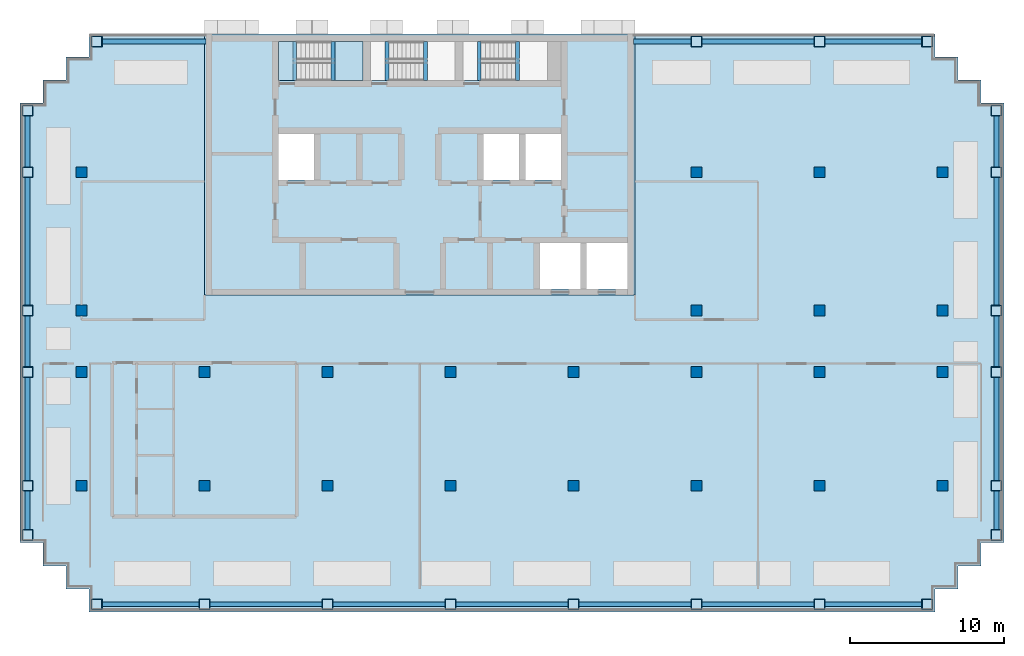
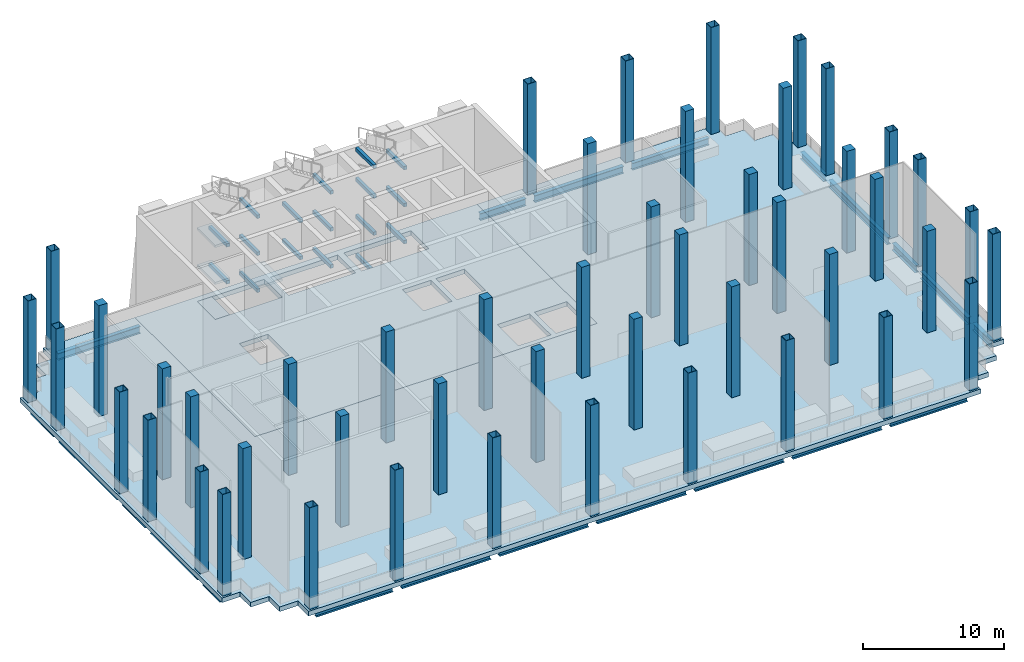
# One storey, part 1 of 9: 48 columns, 38 beams, 6 slabs, 1 element without a shape of its own.
"""IFC4 building model written with IfcOpenShell, lengths in metres."""

from ifc_helpers import new_model, si_unit, direction, frame, origin, origin_2d, place, context, subcontext, project, spatial, polyline, rectangle, hollow_rectangle, i_section, outline, extrude, material, layer, layer_set, material_profile, profile_set, type_object, element, aggregate, save


model = new_model("IFC4")

# Units and contexts
model_context = context("Model", 3, precision=1e-05, world=origin(), true_north=direction((0.0, 1.0)))
body_context = subcontext(model_context, "Body", "Model", "MODEL_VIEW")
ifc_project = project(units=[si_unit("LENGTHUNIT", "METRE"), si_unit("AREAUNIT", "SQUARE_METRE"), si_unit("VOLUMEUNIT", "CUBIC_METRE"), si_unit("PLANEANGLEUNIT", "RADIAN"), si_unit("MASSUNIT", "GRAM", prefix="KILO")], contexts=[model_context])

# Site, building, storey
site_placement = place(None, origin())
site = spatial("IfcSite", under=ifc_project, at=site_placement, CompositionType="ELEMENT")
building_placement = place(site_placement, origin())
building = spatial("IfcBuilding", under=site, at=building_placement, Name="Vidyagriha Tower", CompositionType="ELEMENT")
storey_placement = place(building_placement, frame((0.0, 0.0, 194.10009765625)))
storey = spatial("IfcBuildingStorey", under=building, at=storey_placement, Name="L51", CompositionType="ELEMENT", Elevation=194.10009765625)

# Columns
ifc_material_1 = material(Name="Steel ASTM A572 Grade 50", Category="steel")
ifc_material_profile_1 = material_profile(ifc_material_1, hollow_rectangle(XDim=0.699951171875, YDim=0.699951171875, WallThickness=0.035888671875, at=origin_2d()), Name="BOX 700x700x36")
ifc_profile_set_1 = profile_set([ifc_material_profile_1], Name="Steel ASTM A572 Grade 50")
column_type_1 = type_object("IfcColumnType", Name="Exoskeleton column BOX 700x700x36", PredefinedType="COLUMN", material=ifc_profile_set_1)
column_1_placement = place(storey_placement, frame((-21.0, -17.10009765625, 0.0)))
element("IfcColumn", 1, at=column_1_placement, inside=storey, type_object=column_type_1, Name="st-col-L51-B4-001", PredefinedType="COLUMN", context=body_context, shape_type="SweptSolid", body=[
    extrude(hollow_rectangle(XDim=0.699951171875, YDim=0.699951171875, WallThickness=0.035888671875, at=origin_2d()), origin(), (0.0, 0.0, 1.0), 8.7998046875),
])
for number, where, name in (
    (2, (-14.0, -17.10009765625, 0.0), "st-col-L51-B4-002"),
    (3, (-6.0, -17.10009765625, 0.0), "st-col-L51-B4-003"),
    (4, (2.0, -17.10009765625, 0.0), "st-col-L51-B4-004"),
    (5, (10.0, -17.10009765625, 0.0), "st-col-L51-B4-005"),
    (6, (18.0, -17.10009765625, 0.0), "st-col-L51-B4-006"),
):
    element("IfcColumn", number, at=place(storey_placement, frame(where)), inside=storey, type_object=column_type_1, Name=name, PredefinedType="COLUMN", context=body_context, shape_type="SweptSolid", body=[
        extrude(hollow_rectangle(XDim=0.699951171875, YDim=0.699951171875, WallThickness=0.035888671875, at=origin_2d()), origin(), (0.0, 0.0, 1.0), 9.599853515625),
    ])
column_2_placement = place(storey_placement, frame((26.0, -17.10009765625, 0.0)))
element("IfcColumn", 7, at=column_2_placement, inside=storey, type_object=column_type_1, Name="st-col-L51-B4-007", PredefinedType="COLUMN", context=body_context, shape_type="SweptSolid", body=[
    extrude(hollow_rectangle(XDim=0.699951171875, YDim=0.699951171875, WallThickness=0.035888671875, at=origin_2d()), origin(), (0.0, 0.0, 1.0), 8.7998046875),
])
column_3_placement = place(storey_placement, frame((33.0, -17.10009765625, 0.0)))
element("IfcColumn", 8, at=column_3_placement, inside=storey, type_object=column_type_1, Name="st-col-L51-B4-008", PredefinedType="COLUMN", context=body_context, shape_type="SweptSolid", body=[
    extrude(hollow_rectangle(XDim=0.699951171875, YDim=0.699951171875, WallThickness=0.035888671875, at=origin_2d()), origin(), (0.0, 0.0, 1.0), 9.25),
])
column_4_placement = place(storey_placement, frame((-25.5, -12.60009765625, 0.0)))
element("IfcColumn", 9, at=column_4_placement, inside=storey, type_object=column_type_1, Name="st-col-L51-B4-009", PredefinedType="COLUMN", context=body_context, shape_type="SweptSolid", body=[
    extrude(hollow_rectangle(XDim=0.699951171875, YDim=0.699951171875, WallThickness=0.035888671875, at=origin_2d()), origin(), (0.0, 0.0, 1.0), 8.7998046875),
])
column_5_placement = place(storey_placement, frame((37.5, -12.60009765625, 0.0)))
element("IfcColumn", 10, at=column_5_placement, inside=storey, type_object=column_type_1, Name="st-col-L51-B4-010", PredefinedType="COLUMN", context=body_context, shape_type="SweptSolid", body=[
    extrude(hollow_rectangle(XDim=0.699951171875, YDim=0.699951171875, WallThickness=0.035888671875, at=origin_2d()), origin(), (0.0, 0.0, 1.0), 9.25),
])
column_6_placement = place(storey_placement, frame((-25.5, -9.39990234375, 0.0)))
element("IfcColumn", 11, at=column_6_placement, inside=storey, type_object=column_type_1, Name="st-col-L51-B4-011", PredefinedType="COLUMN", context=body_context, shape_type="SweptSolid", body=[
    extrude(hollow_rectangle(XDim=0.699951171875, YDim=0.699951171875, WallThickness=0.035888671875, at=origin_2d()), origin(), (0.0, 0.0, 1.0), 8.7998046875),
])
column_7_placement = place(storey_placement, frame((37.5, -9.39990234375, 0.0)))
element("IfcColumn", 12, at=column_7_placement, inside=storey, type_object=column_type_1, Name="st-col-L51-B4-020", PredefinedType="COLUMN", context=body_context, shape_type="SweptSolid", body=[
    extrude(hollow_rectangle(XDim=0.699951171875, YDim=0.699951171875, WallThickness=0.035888671875, at=origin_2d()), origin(), (0.0, 0.0, 1.0), 9.25),
])
column_8_placement = place(storey_placement, frame((-25.5, -2.0, 0.0)))
element("IfcColumn", 13, at=column_8_placement, inside=storey, type_object=column_type_1, Name="st-col-L51-B4-021", PredefinedType="COLUMN", context=body_context, shape_type="SweptSolid", body=[
    extrude(hollow_rectangle(XDim=0.699951171875, YDim=0.699951171875, WallThickness=0.035888671875, at=origin_2d()), origin(), (0.0, 0.0, 1.0), 8.7998046875),
])
column_9_placement = place(storey_placement, frame((37.5, -2.0, 0.0)))
element("IfcColumn", 14, at=column_9_placement, inside=storey, type_object=column_type_1, Name="st-col-L51-B4-030", PredefinedType="COLUMN", context=body_context, shape_type="SweptSolid", body=[
    extrude(hollow_rectangle(XDim=0.699951171875, YDim=0.699951171875, WallThickness=0.035888671875, at=origin_2d()), origin(), (0.0, 0.0, 1.0), 9.25),
])
column_10_placement = place(storey_placement, frame((-25.5, 2.0, 0.0)))
element("IfcColumn", 15, at=column_10_placement, inside=storey, type_object=column_type_1, Name="st-col-L51-B4-031", PredefinedType="COLUMN", context=body_context, shape_type="SweptSolid", body=[
    extrude(hollow_rectangle(XDim=0.699951171875, YDim=0.699951171875, WallThickness=0.035888671875, at=origin_2d()), origin(), (0.0, 0.0, 1.0), 8.7998046875),
])
column_11_placement = place(storey_placement, frame((37.5, 2.0, 0.0)))
element("IfcColumn", 16, at=column_11_placement, inside=storey, type_object=column_type_1, Name="st-col-L51-B4-036", PredefinedType="COLUMN", context=body_context, shape_type="SweptSolid", body=[
    extrude(hollow_rectangle(XDim=0.699951171875, YDim=0.699951171875, WallThickness=0.035888671875, at=origin_2d()), origin(), (0.0, 0.0, 1.0), 9.25),
])
column_12_placement = place(storey_placement, frame((-25.5, 11.0, 0.0)))
element("IfcColumn", 17, at=column_12_placement, inside=storey, type_object=column_type_1, Name="st-col-L51-B4-037", PredefinedType="COLUMN", context=body_context, shape_type="SweptSolid", body=[
    extrude(hollow_rectangle(XDim=0.699951171875, YDim=0.699951171875, WallThickness=0.035888671875, at=origin_2d()), origin(), (0.0, 0.0, 1.0), 8.7998046875),
])
column_13_placement = place(storey_placement, frame((37.5, 11.0, 0.0)))
element("IfcColumn", 18, at=column_13_placement, inside=storey, type_object=column_type_1, Name="st-col-L51-B4-042", PredefinedType="COLUMN", context=body_context, shape_type="SweptSolid", body=[
    extrude(hollow_rectangle(XDim=0.699951171875, YDim=0.699951171875, WallThickness=0.035888671875, at=origin_2d()), origin(), (0.0, 0.0, 1.0), 9.25),
])
column_14_placement = place(storey_placement, frame((-25.5, 15.0, 0.0)))
element("IfcColumn", 19, at=column_14_placement, inside=storey, type_object=column_type_1, Name="st-col-L51-B4-043", PredefinedType="COLUMN", context=body_context, shape_type="SweptSolid", body=[
    extrude(hollow_rectangle(XDim=0.699951171875, YDim=0.699951171875, WallThickness=0.035888671875, at=origin_2d()), origin(), (0.0, 0.0, 1.0), 8.7998046875),
])
column_15_placement = place(storey_placement, frame((37.5, 15.0, 0.0)))
element("IfcColumn", 20, at=column_15_placement, inside=storey, type_object=column_type_1, Name="st-col-L51-B4-044", PredefinedType="COLUMN", context=body_context, shape_type="SweptSolid", body=[
    extrude(hollow_rectangle(XDim=0.699951171875, YDim=0.699951171875, WallThickness=0.035888671875, at=origin_2d()), origin(), (0.0, 0.0, 1.0), 9.25),
])
column_16_placement = place(storey_placement, frame((-21.0, 19.5, 0.0)))
element("IfcColumn", 21, at=column_16_placement, inside=storey, type_object=column_type_1, Name="st-col-L51-B4-045", PredefinedType="COLUMN", context=body_context, shape_type="SweptSolid", body=[
    extrude(hollow_rectangle(XDim=0.699951171875, YDim=0.699951171875, WallThickness=0.035888671875, at=origin_2d()), origin(), (0.0, 0.0, 1.0), 8.7998046875),
])
column_17_placement = place(storey_placement, frame((18.0, 19.5, 0.0)))
element("IfcColumn", 22, at=column_17_placement, inside=storey, type_object=column_type_1, Name="st-col-L51-B4-046", PredefinedType="COLUMN", context=body_context, shape_type="SweptSolid", body=[
    extrude(hollow_rectangle(XDim=0.699951171875, YDim=0.699951171875, WallThickness=0.035888671875, at=origin_2d()), origin(), (0.0, 0.0, 1.0), 9.599853515625),
])
column_18_placement = place(storey_placement, frame((26.0, 19.5, 0.0)))
element("IfcColumn", 23, at=column_18_placement, inside=storey, type_object=column_type_1, Name="st-col-L51-B4-047", PredefinedType="COLUMN", context=body_context, shape_type="SweptSolid", body=[
    extrude(hollow_rectangle(XDim=0.699951171875, YDim=0.699951171875, WallThickness=0.035888671875, at=origin_2d()), origin(), (0.0, 0.0, 1.0), 8.7998046875),
])
column_19_placement = place(storey_placement, frame((33.0, 19.5, 0.0)))
element("IfcColumn", 24, at=column_19_placement, inside=storey, type_object=column_type_1, Name="st-col-L51-B4-048", PredefinedType="COLUMN", context=body_context, shape_type="SweptSolid", body=[
    extrude(hollow_rectangle(XDim=0.699951171875, YDim=0.699951171875, WallThickness=0.035888671875, at=origin_2d()), origin(), (0.0, 0.0, 1.0), 9.25),
])
ifc_material_2 = material(Name="Concrete C60/75", Category="concrete")
ifc_material_profile_2 = material_profile(ifc_material_2, rectangle(XDim=0.699951171875, YDim=0.699951171875, at=origin_2d()), Name="RC 700x700")
ifc_profile_set_2 = profile_set([ifc_material_profile_2], Name="Concrete C60/75")
column_type_2 = type_object("IfcColumnType", Name="Frame column RC 700x700", PredefinedType="COLUMN", material=ifc_profile_set_2)
for number, where, name in (
    (25, (-22.0, -9.39990234375, 0.0), "st-col-L51-B4-012"),
    (26, (-14.0, -9.39990234375, 0.0), "st-col-L51-B4-013"),
    (27, (-6.0, -9.39990234375, 0.0), "st-col-L51-B4-014"),
    (28, (2.0, -9.39990234375, 0.0), "st-col-L51-B4-015"),
    (29, (10.0, -9.39990234375, 0.0), "st-col-L51-B4-016"),
    (30, (18.0, -9.39990234375, 0.0), "st-col-L51-B4-017"),
    (31, (26.0, -9.39990234375, 0.0), "st-col-L51-B4-018"),
):
    element("IfcColumn", number, at=place(storey_placement, frame(where)), inside=storey, type_object=column_type_2, Name=name, PredefinedType="COLUMN", context=body_context, shape_type="SweptSolid", body=[
        extrude(rectangle(XDim=0.699951171875, YDim=0.699951171875, at=origin_2d()), origin(), (0.0, 0.0, 1.0), 9.599853515625),
    ])
column_20_placement = place(storey_placement, frame((34.0, -9.39990234375, 0.0)))
element("IfcColumn", 32, at=column_20_placement, inside=storey, type_object=column_type_2, Name="st-col-L51-B4-019", PredefinedType="COLUMN", context=body_context, shape_type="SweptSolid", body=[
    extrude(rectangle(XDim=0.699951171875, YDim=0.699951171875, at=origin_2d()), origin(), (0.0, 0.0, 1.0), 8.7998046875),
])
for number, where, name in (
    (33, (-22.0, -2.0, 0.0), "st-col-L51-B4-022"),
    (34, (-14.0, -2.0, 0.0), "st-col-L51-B4-023"),
    (35, (-6.0, -2.0, 0.0), "st-col-L51-B4-024"),
    (36, (2.0, -2.0, 0.0), "st-col-L51-B4-025"),
    (37, (10.0, -2.0, 0.0), "st-col-L51-B4-026"),
    (38, (18.0, -2.0, 0.0), "st-col-L51-B4-027"),
    (39, (26.0, -2.0, 0.0), "st-col-L51-B4-028"),
):
    element("IfcColumn", number, at=place(storey_placement, frame(where)), inside=storey, type_object=column_type_2, Name=name, PredefinedType="COLUMN", context=body_context, shape_type="SweptSolid", body=[
        extrude(rectangle(XDim=0.699951171875, YDim=0.699951171875, at=origin_2d()), origin(), (0.0, 0.0, 1.0), 9.599853515625),
    ])
column_21_placement = place(storey_placement, frame((34.0, -2.0, 0.0)))
element("IfcColumn", 40, at=column_21_placement, inside=storey, type_object=column_type_2, Name="st-col-L51-B4-029", PredefinedType="COLUMN", context=body_context, shape_type="SweptSolid", body=[
    extrude(rectangle(XDim=0.699951171875, YDim=0.699951171875, at=origin_2d()), origin(), (0.0, 0.0, 1.0), 8.7998046875),
])
for number, where, name in (
    (41, (-22.0, 2.0, 0.0), "st-col-L51-B4-032"),
    (42, (18.0, 2.0, 0.0), "st-col-L51-B4-033"),
    (43, (26.0, 2.0, 0.0), "st-col-L51-B4-034"),
):
    element("IfcColumn", number, at=place(storey_placement, frame(where)), inside=storey, type_object=column_type_2, Name=name, PredefinedType="COLUMN", context=body_context, shape_type="SweptSolid", body=[
        extrude(rectangle(XDim=0.699951171875, YDim=0.699951171875, at=origin_2d()), origin(), (0.0, 0.0, 1.0), 9.599853515625),
    ])
column_22_placement = place(storey_placement, frame((34.0, 2.0, 0.0)))
element("IfcColumn", 44, at=column_22_placement, inside=storey, type_object=column_type_2, Name="st-col-L51-B4-035", PredefinedType="COLUMN", context=body_context, shape_type="SweptSolid", body=[
    extrude(rectangle(XDim=0.699951171875, YDim=0.699951171875, at=origin_2d()), origin(), (0.0, 0.0, 1.0), 8.7998046875),
])
for number, where, name in (
    (45, (-22.0, 11.0, 0.0), "st-col-L51-B4-038"),
    (46, (18.0, 11.0, 0.0), "st-col-L51-B4-039"),
    (47, (26.0, 11.0, 0.0), "st-col-L51-B4-040"),
):
    element("IfcColumn", number, at=place(storey_placement, frame(where)), inside=storey, type_object=column_type_2, Name=name, PredefinedType="COLUMN", context=body_context, shape_type="SweptSolid", body=[
        extrude(rectangle(XDim=0.699951171875, YDim=0.699951171875, at=origin_2d()), origin(), (0.0, 0.0, 1.0), 9.599853515625),
    ])
column_23_placement = place(storey_placement, frame((34.0, 11.0, 0.0)))
element("IfcColumn", 48, at=column_23_placement, inside=storey, type_object=column_type_2, Name="st-col-L51-B4-041", PredefinedType="COLUMN", context=body_context, shape_type="SweptSolid", body=[
    extrude(rectangle(XDim=0.699951171875, YDim=0.699951171875, at=origin_2d()), origin(), (0.0, 0.0, 1.0), 8.7998046875),
])

# Beams
ifc_material_3 = material(Name="Steel ASTM A992 Grade 50", Category="steel")
ifc_material_profile_3 = material_profile(ifc_material_3, i_section(OverallWidth=0.32373046875, OverallDepth=0.612060546875, WebThickness=0.0126953125, FlangeThickness=0.01904296875, at=origin_2d()), Name="W24X104")
ifc_profile_set_3 = profile_set([ifc_material_profile_3], Name="Steel ASTM A992 Grade 50")
beam_type_1 = type_object("IfcBeamType", Name="Edge beam W24X104", PredefinedType="SPANDREL", material=ifc_profile_set_3)
beam_1_placement = place(storey_placement, frame((-20.64990234375, -17.10009765625, -0.7060546875), z_axis=(1.0, 0.0, 0.0), x_axis=(0.0, 1.0, 0.0)))
element("IfcBeam", 49, at=beam_1_placement, inside=storey, type_object=beam_type_1, Name="st-beam-L51-S01", PredefinedType="SPANDREL", context=body_context, shape_type="SweptSolid", body=[
    extrude(i_section(OverallWidth=0.32373046875, OverallDepth=0.612060546875, WebThickness=0.0126953125, FlangeThickness=0.01904296875, at=origin_2d()), origin(), (0.0, 0.0, 1.0), 6.2998046875),
])
for number, where, z_axis, x_axis, name in (
    (50, (-13.64990234375, -17.10009765625, -0.7060546875), (1.0, 0.0, 0.0), (0.0, 1.0, 0.0), "st-beam-L51-S02"),
    (51, (-5.64990234375, -17.10009765625, -0.7060546875), (1.0, 0.0, 0.0), (0.0, 1.0, 0.0), "st-beam-L51-S03"),
    (52, (2.35009765625, -17.10009765625, -0.7060546875), (1.0, 0.0, 0.0), (0.0, 1.0, 0.0), "st-beam-L51-S04"),
    (53, (10.35009765625, -17.10009765625, -0.7060546875), (1.0, 0.0, 0.0), (0.0, 1.0, 0.0), "st-beam-L51-S05"),
    (54, (18.35009765625, -17.10009765625, -0.7060546875), (1.0, 0.0, 0.0), (0.0, 1.0, 0.0), "st-beam-L51-S06"),
):
    element("IfcBeam", number, at=place(storey_placement, frame(where, z_axis=z_axis, x_axis=x_axis)), inside=storey, type_object=beam_type_1, Name=name, PredefinedType="SPANDREL", context=body_context, shape_type="SweptSolid", body=[
        extrude(i_section(OverallWidth=0.32373046875, OverallDepth=0.612060546875, WebThickness=0.0126953125, FlangeThickness=0.01904296875, at=origin_2d()), origin(), (0.0, 0.0, 1.0), 7.2998046875),
    ])
beam_2_placement = place(storey_placement, frame((26.35009765625, -17.10009765625, -0.7060546875), z_axis=(1.0, 0.0, 0.0), x_axis=(0.0, 1.0, 0.0)))
element("IfcBeam", 55, at=beam_2_placement, inside=storey, type_object=beam_type_1, Name="st-beam-L51-S07", PredefinedType="SPANDREL", context=body_context, shape_type="SweptSolid", body=[
    extrude(i_section(OverallWidth=0.32373046875, OverallDepth=0.612060546875, WebThickness=0.0126953125, FlangeThickness=0.01904296875, at=origin_2d()), origin(), (0.0, 0.0, 1.0), 6.2998046875),
])
beam_3_placement = place(storey_placement, frame((-25.5, -12.25, -0.7060546875), z_axis=(0.0, 1.0, 0.0), x_axis=(-1.0, 0.0, 0.0)))
element("IfcBeam", 56, at=beam_3_placement, inside=storey, type_object=beam_type_1, Name="st-beam-L51-W08", PredefinedType="SPANDREL", context=body_context, shape_type="SweptSolid", body=[
    extrude(i_section(OverallWidth=0.32373046875, OverallDepth=0.612060546875, WebThickness=0.0126953125, FlangeThickness=0.01904296875, at=origin_2d()), origin(), (0.0, 0.0, 1.0), 2.5),
])
beam_4_placement = place(storey_placement, frame((-25.5, -9.050048828125, -0.7060546875), z_axis=(0.0, 1.0, 0.0), x_axis=(-1.0, 0.0, 0.0)))
element("IfcBeam", 57, at=beam_4_placement, inside=storey, type_object=beam_type_1, Name="st-beam-L51-W09", PredefinedType="SPANDREL", context=body_context, shape_type="SweptSolid", body=[
    extrude(i_section(OverallWidth=0.32373046875, OverallDepth=0.612060546875, WebThickness=0.0126953125, FlangeThickness=0.01904296875, at=origin_2d()), origin(), (0.0, 0.0, 1.0), 6.699951171875),
])
beam_5_placement = place(storey_placement, frame((-25.5, -1.64990234375, -0.7060546875), z_axis=(0.0, 1.0, 0.0), x_axis=(-1.0, 0.0, 0.0)))
element("IfcBeam", 58, at=beam_5_placement, inside=storey, type_object=beam_type_1, Name="st-beam-L51-W10", PredefinedType="SPANDREL", context=body_context, shape_type="SweptSolid", body=[
    extrude(i_section(OverallWidth=0.32373046875, OverallDepth=0.612060546875, WebThickness=0.0126953125, FlangeThickness=0.01904296875, at=origin_2d()), origin(), (0.0, 0.0, 1.0), 3.2998046875),
])
beam_6_placement = place(storey_placement, frame((-25.5, 2.35009765625, -0.7060546875), z_axis=(0.0, 1.0, 0.0), x_axis=(-1.0, 0.0, 0.0)))
element("IfcBeam", 59, at=beam_6_placement, inside=storey, type_object=beam_type_1, Name="st-beam-L51-W11", PredefinedType="SPANDREL", context=body_context, shape_type="SweptSolid", body=[
    extrude(i_section(OverallWidth=0.32373046875, OverallDepth=0.612060546875, WebThickness=0.0126953125, FlangeThickness=0.01904296875, at=origin_2d()), origin(), (0.0, 0.0, 1.0), 8.2998046875),
])
beam_7_placement = place(storey_placement, frame((-25.5, 11.35009765625, -0.7060546875), z_axis=(0.0, 1.0, 0.0), x_axis=(-1.0, 0.0, 0.0)))
element("IfcBeam", 60, at=beam_7_placement, inside=storey, type_object=beam_type_1, Name="st-beam-L51-W12", PredefinedType="SPANDREL", context=body_context, shape_type="SweptSolid", body=[
    extrude(i_section(OverallWidth=0.32373046875, OverallDepth=0.612060546875, WebThickness=0.0126953125, FlangeThickness=0.01904296875, at=origin_2d()), origin(), (0.0, 0.0, 1.0), 3.2998046875),
])
beam_8_placement = place(storey_placement, frame((37.5, -12.25, -0.7060546875), z_axis=(0.0, 1.0, 0.0), x_axis=(-1.0, 0.0, 0.0)))
element("IfcBeam", 61, at=beam_8_placement, inside=storey, type_object=beam_type_1, Name="st-beam-L51-E13", PredefinedType="SPANDREL", context=body_context, shape_type="SweptSolid", body=[
    extrude(i_section(OverallWidth=0.32373046875, OverallDepth=0.612060546875, WebThickness=0.0126953125, FlangeThickness=0.01904296875, at=origin_2d()), origin(), (0.0, 0.0, 1.0), 2.5),
])
beam_9_placement = place(storey_placement, frame((37.5, -9.050048828125, -0.7060546875), z_axis=(0.0, 1.0, 0.0), x_axis=(-1.0, 0.0, 0.0)))
element("IfcBeam", 62, at=beam_9_placement, inside=storey, type_object=beam_type_1, Name="st-beam-L51-E14", PredefinedType="SPANDREL", context=body_context, shape_type="SweptSolid", body=[
    extrude(i_section(OverallWidth=0.32373046875, OverallDepth=0.612060546875, WebThickness=0.0126953125, FlangeThickness=0.01904296875, at=origin_2d()), origin(), (0.0, 0.0, 1.0), 6.699951171875),
])
beam_10_placement = place(storey_placement, frame((37.5, -1.64990234375, -0.7060546875), z_axis=(0.0, 1.0, 0.0), x_axis=(-1.0, 0.0, 0.0)))
element("IfcBeam", 63, at=beam_10_placement, inside=storey, type_object=beam_type_1, Name="st-beam-L51-E15", PredefinedType="SPANDREL", context=body_context, shape_type="SweptSolid", body=[
    extrude(i_section(OverallWidth=0.32373046875, OverallDepth=0.612060546875, WebThickness=0.0126953125, FlangeThickness=0.01904296875, at=origin_2d()), origin(), (0.0, 0.0, 1.0), 3.2998046875),
])
beam_11_placement = place(storey_placement, frame((37.5, 2.35009765625, -0.7060546875), z_axis=(0.0, 1.0, 0.0), x_axis=(-1.0, 0.0, 0.0)))
element("IfcBeam", 64, at=beam_11_placement, inside=storey, type_object=beam_type_1, Name="st-beam-L51-E16", PredefinedType="SPANDREL", context=body_context, shape_type="SweptSolid", body=[
    extrude(i_section(OverallWidth=0.32373046875, OverallDepth=0.612060546875, WebThickness=0.0126953125, FlangeThickness=0.01904296875, at=origin_2d()), origin(), (0.0, 0.0, 1.0), 8.2998046875),
])
beam_12_placement = place(storey_placement, frame((37.5, 11.35009765625, -0.7060546875), z_axis=(0.0, 1.0, 0.0), x_axis=(-1.0, 0.0, 0.0)))
element("IfcBeam", 65, at=beam_12_placement, inside=storey, type_object=beam_type_1, Name="st-beam-L51-E17", PredefinedType="SPANDREL", context=body_context, shape_type="SweptSolid", body=[
    extrude(i_section(OverallWidth=0.32373046875, OverallDepth=0.612060546875, WebThickness=0.0126953125, FlangeThickness=0.01904296875, at=origin_2d()), origin(), (0.0, 0.0, 1.0), 3.2998046875),
])
beam_13_placement = place(storey_placement, frame((18.35009765625, 19.5, -0.7060546875), z_axis=(1.0, 0.0, 0.0), x_axis=(0.0, 1.0, 0.0)))
element("IfcBeam", 66, at=beam_13_placement, inside=storey, type_object=beam_type_1, Name="st-beam-L51-NE18", PredefinedType="SPANDREL", context=body_context, shape_type="SweptSolid", body=[
    extrude(i_section(OverallWidth=0.32373046875, OverallDepth=0.612060546875, WebThickness=0.0126953125, FlangeThickness=0.01904296875, at=origin_2d()), origin(), (0.0, 0.0, 1.0), 7.2998046875),
])
beam_14_placement = place(storey_placement, frame((26.35009765625, 19.5, -0.7060546875), z_axis=(1.0, 0.0, 0.0), x_axis=(0.0, 1.0, 0.0)))
element("IfcBeam", 67, at=beam_14_placement, inside=storey, type_object=beam_type_1, Name="st-beam-L51-NE19", PredefinedType="SPANDREL", context=body_context, shape_type="SweptSolid", body=[
    extrude(i_section(OverallWidth=0.32373046875, OverallDepth=0.612060546875, WebThickness=0.0126953125, FlangeThickness=0.01904296875, at=origin_2d()), origin(), (0.0, 0.0, 1.0), 6.2998046875),
])
beam_15_placement = place(storey_placement, frame((-20.64990234375, 19.5, -0.7060546875), z_axis=(1.0, 0.0, 0.0), x_axis=(0.0, 1.0, 0.0)))
element("IfcBeam", 68, at=beam_15_placement, inside=storey, type_object=beam_type_1, Name="st-beam-L51-NC20", PredefinedType="SPANDREL", context=body_context, shape_type="SweptSolid", body=[
    extrude(i_section(OverallWidth=0.32373046875, OverallDepth=0.612060546875, WebThickness=0.0126953125, FlangeThickness=0.01904296875, at=origin_2d()), origin(), (0.0, 0.0, 1.0), 6.75),
])
beam_16_placement = place(storey_placement, frame((13.89990234375, 19.5, -0.7060546875), z_axis=(1.0, 0.0, 0.0), x_axis=(0.0, 1.0, 0.0)))
element("IfcBeam", 69, at=beam_16_placement, inside=storey, type_object=beam_type_1, Name="st-beam-L51-NC21", PredefinedType="SPANDREL", context=body_context, shape_type="SweptSolid", body=[
    extrude(i_section(OverallWidth=0.32373046875, OverallDepth=0.612060546875, WebThickness=0.0126953125, FlangeThickness=0.01904296875, at=origin_2d()), origin(), (0.0, 0.0, 1.0), 3.75),
])
ifc_material_4 = material(Name="Concrete C40/50", Category="concrete")
ifc_material_profile_4 = material_profile(ifc_material_4, rectangle(XDim=0.25, YDim=0.300048828125, at=origin_2d()), Name="Stair landing bearing beam 250x300")
ifc_profile_set_4 = profile_set([ifc_material_profile_4], Name="Concrete C40/50")
beam_type_2 = type_object("IfcBeamType", Name="Stair landing bearing beam 250x300", PredefinedType="BEAM", material=ifc_profile_set_4)
for number, where, z_axis, x_axis, name in (
    (70, (3.875, 16.949951171875, -0.550048828125), (0.0, 1.0, 0.0), (-1.0, 0.0, 0.0), "ST3 floor landing bearing beam L51"),
    (71, (3.875, 16.949951171875, 8.64990234375), (0.0, 1.0, 0.0), (-1.0, 0.0, 0.0), "ST3 floor landing bearing beam L52"),
    (72, (-5.635009765625, 16.949951171875, 1.25), (0.0, 1.0, 0.0), (-1.0, 0.0, 0.0), "ST1 landing bearing beam L51"),
    (73, (-8.125, 16.949951171875, 2.849853515625), (0.0, 1.0, 0.0), (-1.0, 0.0, 0.0), "ST1 landing bearing beam L51"),
    (74, (-5.635009765625, 16.949951171875, 4.449951171875), (0.0, 1.0, 0.0), (-1.0, 0.0, 0.0), "ST1 landing bearing beam L51"),
    (75, (-8.125, 16.949951171875, 6.0498046875), (0.0, 1.0, 0.0), (-1.0, 0.0, 0.0), "ST1 landing bearing beam L51"),
    (76, (-5.635009765625, 16.949951171875, 7.64990234375), (0.0, 1.0, 0.0), (-1.0, 0.0, 0.0), "ST1 landing bearing beam L51"),
    (77, (0.364990234375, 16.949951171875, 1.25), (0.0, 1.0, 0.0), (-1.0, 0.0, 0.0), "ST2 landing bearing beam L51"),
    (78, (-2.125, 16.949951171875, 2.849853515625), (0.0, 1.0, 0.0), (-1.0, 0.0, 0.0), "ST2 landing bearing beam L51"),
    (79, (0.364990234375, 16.949951171875, 4.449951171875), (0.0, 1.0, 0.0), (-1.0, 0.0, 0.0), "ST2 landing bearing beam L51"),
    (80, (-2.125, 16.949951171875, 6.0498046875), (0.0, 1.0, 0.0), (-1.0, 0.0, 0.0), "ST2 landing bearing beam L51"),
    (81, (0.364990234375, 16.949951171875, 7.64990234375), (0.0, 1.0, 0.0), (-1.0, 0.0, 0.0), "ST2 landing bearing beam L51"),
    (82, (6.364990234375, 16.949951171875, 1.25), (0.0, 1.0, 0.0), (-1.0, 0.0, 0.0), "ST3 landing bearing beam L51"),
    (83, (3.875, 16.949951171875, 2.849853515625), (0.0, 1.0, 0.0), (-1.0, 0.0, 0.0), "ST3 landing bearing beam L51"),
    (84, (6.364990234375, 16.949951171875, 4.449951171875), (0.0, 1.0, 0.0), (-1.0, 0.0, 0.0), "ST3 landing bearing beam L51"),
    (85, (3.875, 16.949951171875, 6.0498046875), (0.0, 1.0, 0.0), (-1.0, 0.0, 0.0), "ST3 landing bearing beam L51"),
    (86, (6.364990234375, 16.949951171875, 7.64990234375), (0.0, 1.0, 0.0), (-1.0, 0.0, 0.0), "ST3 landing bearing beam L51"),
):
    element("IfcBeam", number, at=place(storey_placement, frame(where, z_axis=z_axis, x_axis=x_axis)), inside=storey, type_object=beam_type_2, Name=name, PredefinedType="BEAM", context=body_context, shape_type="SweptSolid", body=[
        extrude(rectangle(XDim=0.25, YDim=0.300048828125, at=origin_2d()), origin(), (0.0, 0.0, 1.0), 2.550048828125),
    ])

# Slabs
ifc_material_5 = material(Name="Concrete C60/75", Category="concrete")
ifc_layer_1 = layer(ifc_material_5, 0.39990234375)
ifc_layer_set_1 = layer_set([ifc_layer_1], Name="Concrete C60/75")
slab_type_1 = type_object("IfcSlabType", Name="Core floor slab 400 mm", PredefinedType="FLOOR", material=ifc_layer_set_1)
slab_1_placement = place(storey_placement, frame((0.0, 0.0, -0.400146484375)))
element("IfcSlab", 87, at=slab_1_placement, inside=storey, type_object=slab_type_1, Name="L51 core floor 1", PredefinedType="FLOOR", context=body_context, shape_type="SweptSolid", body=[
    extrude(outline(polyline([(-14.0, 3.0), (-14.0, 20.0), (14.0, 20.0), (14.0, 3.0), (-14.0, 3.0)]), holes=[polyline([(13.5, 6.39990234375), (10.855712890625, 6.39990234375), (10.855712890625, 3.39990234375), (13.5, 3.39990234375), (13.5, 6.39990234375)]), polyline([(10.45556640625, 6.39990234375), (7.81103515625, 6.39990234375), (7.81103515625, 3.39990234375), (10.45556640625, 3.39990234375), (10.45556640625, 6.39990234375)]), polyline([(9.199951171875, 13.5), (6.86669921875, 13.5), (6.86669921875, 10.5), (9.199951171875, 10.5), (9.199951171875, 13.5)]), polyline([(2.800048828125, 19.5), (2.800048828125, 16.949951171875), (4.0, 16.949951171875), (8.300048828125, 16.949951171875), (8.300048828125, 19.5), (4.0, 19.5), (2.800048828125, 19.5)]), polyline([(4.13330078125, 13.5), (4.13330078125, 10.5), (6.466796875, 10.5), (6.466796875, 13.5), (4.13330078125, 13.5)]), polyline([(-2.0, 19.5), (-3.199951171875, 19.5), (-3.199951171875, 16.949951171875), (-2.0, 16.949951171875), (2.300048828125, 16.949951171875), (2.300048828125, 19.5), (-2.0, 19.5)]), polyline([(-9.199951171875, 19.5), (-9.199951171875, 16.949951171875), (-8.0, 16.949951171875), (-3.699951171875, 16.949951171875), (-3.699951171875, 19.5), (-8.0, 19.5), (-9.199951171875, 19.5)]), polyline([(-9.199951171875, 13.5), (-9.199951171875, 10.5), (-6.86669921875, 10.5), (-6.86669921875, 13.5), (-9.199951171875, 13.5)])]), origin(), (0.0, 0.0, 1.0), 0.400146484375),
])
ifc_material_6 = material(Name="Concrete C40/50", Category="concrete")
ifc_layer_2 = layer(ifc_material_6, 0.39990234375)
ifc_layer_set_2 = layer_set([ifc_layer_2], Name="Concrete C40/50")
slab_type_2 = type_object("IfcSlabType", Name="Exit stair floor landing 400 mm", PredefinedType="LANDING", material=ifc_layer_set_2)
slab_2_placement = place(storey_placement, frame((0.0, 0.0, -0.400146484375)))
element("IfcSlab", 88, at=slab_2_placement, inside=storey, type_object=slab_type_2, Name="ST1 floor landing L51", PredefinedType="LANDING", context=body_context, shape_type="SweptSolid", body=[
    extrude(outline(polyline([(-9.199951171875, 16.949951171875), (-8.0, 16.949951171875), (-8.0, 19.5), (-9.199951171875, 19.5), (-9.199951171875, 16.949951171875)])), origin(), (0.0, 0.0, 1.0), 0.400146484375),
])

# Stair, slabs
ifc_material_7 = material(Name="Concrete C40/50", Category="concrete")
stair_type = type_object("IfcStairType", Name="Exit stair, half-turn, precast flights", PredefinedType="HALF_TURN_STAIR", material=ifc_material_7)
stair_placement = place(storey_placement, origin())
stair = element("IfcStair", 89, at=stair_placement, inside=storey, type_object=stair_type, Name="L51 Exit Stair ST1", PredefinedType="HALF_TURN_STAIR")
ifc_material_8 = material(Name="Concrete C40/50", Category="concrete")
ifc_layer_3 = layer(ifc_material_8, 0.199951171875)
ifc_layer_set_3 = layer_set([ifc_layer_3], Name="Concrete C40/50")
slab_type_3 = type_object("IfcSlabType", Name="Exit stair landing 200 mm", PredefinedType="LANDING", material=ifc_layer_set_3)
slab_3_placement = place(storey_placement, frame((0.0, 0.0, 1.39990234375)))
slab_3 = element("IfcSlab", 90, at=slab_3_placement, type_object=slab_type_3, Name="ST1 landing 1", PredefinedType="LANDING", context=body_context, shape_type="SweptSolid", body=[
    extrude(outline(polyline([(-5.760009765625, 16.949951171875), (-3.699951171875, 16.949951171875), (-3.699951171875, 19.5), (-5.760009765625, 19.5), (-5.760009765625, 16.949951171875)])), origin(), (0.0, 0.0, 1.0), 0.199951171875),
])
slab_4_placement = place(storey_placement, frame((0.0, 0.0, 3.0)))
slab_4 = element("IfcSlab", 91, at=slab_4_placement, type_object=slab_type_3, Name="ST1 landing 2", PredefinedType="LANDING", context=body_context, shape_type="SweptSolid", body=[
    extrude(outline(polyline([(-9.199951171875, 16.949951171875), (-8.0, 16.949951171875), (-8.0, 19.5), (-9.199951171875, 19.5), (-9.199951171875, 16.949951171875)])), origin(), (0.0, 0.0, 1.0), 0.199951171875),
])
slab_5_placement = place(storey_placement, frame((0.0, 0.0, 6.199951171875)))
slab_5 = element("IfcSlab", 92, at=slab_5_placement, type_object=slab_type_3, Name="ST1 landing 4", PredefinedType="LANDING", context=body_context, shape_type="SweptSolid", body=[
    extrude(outline(polyline([(-9.199951171875, 16.949951171875), (-8.0, 16.949951171875), (-8.0, 19.5), (-9.199951171875, 19.5), (-9.199951171875, 16.949951171875)])), origin(), (0.0, 0.0, 1.0), 0.199951171875),
])
aggregate(stair, [slab_3, slab_4, slab_5])

# Slab
ifc_material_9 = material(Name="Concrete C50/60", Category="concrete")
ifc_layer_4 = layer(ifc_material_9, 0.39990234375)
ifc_layer_set_4 = layer_set([ifc_layer_4], Name="Concrete C50/60")
slab_type_4 = type_object("IfcSlabType", Name="Post-tensioned flat plate 400", PredefinedType="FLOOR", material=ifc_layer_set_4)
slab_6_placement = place(storey_placement, frame((0.0, 0.0, -0.400146484375)))
element("IfcSlab", 93, at=slab_6_placement, inside=storey, type_object=slab_type_4, Name="st-slab-L51-1", PredefinedType="FLOOR", context=body_context, shape_type="SweptSolid", body=[
    extrude(outline(polyline([(36.5, -13.10009765625), (36.5, -14.60009765625), (35.0, -14.60009765625), (35.0, -16.10009765625), (33.5, -16.10009765625), (33.5, -17.60009765625), (-21.5, -17.60009765625), (-21.5, -16.10009765625), (-23.0, -16.10009765625), (-23.0, -14.60009765625), (-24.5, -14.60009765625), (-24.5, -13.10009765625), (-26.0, -13.10009765625), (-26.0, 15.5), (-24.5, 15.5), (-24.5, 17.0), (-23.0, 17.0), (-23.0, 18.5), (-21.5, 18.5), (-21.5, 20.0), (-14.0, 20.0), (-14.0, 3.0), (14.0, 3.0), (14.0, 20.0), (33.5, 20.0), (33.5, 18.5), (35.0, 18.5), (35.0, 17.0), (36.5, 17.0), (36.5, 15.5), (38.0, 15.5), (38.0, -13.10009765625), (36.5, -13.10009765625)])), origin(), (0.0, 0.0, 1.0), 0.400146484375),
])

save(model, "model.ifc")
